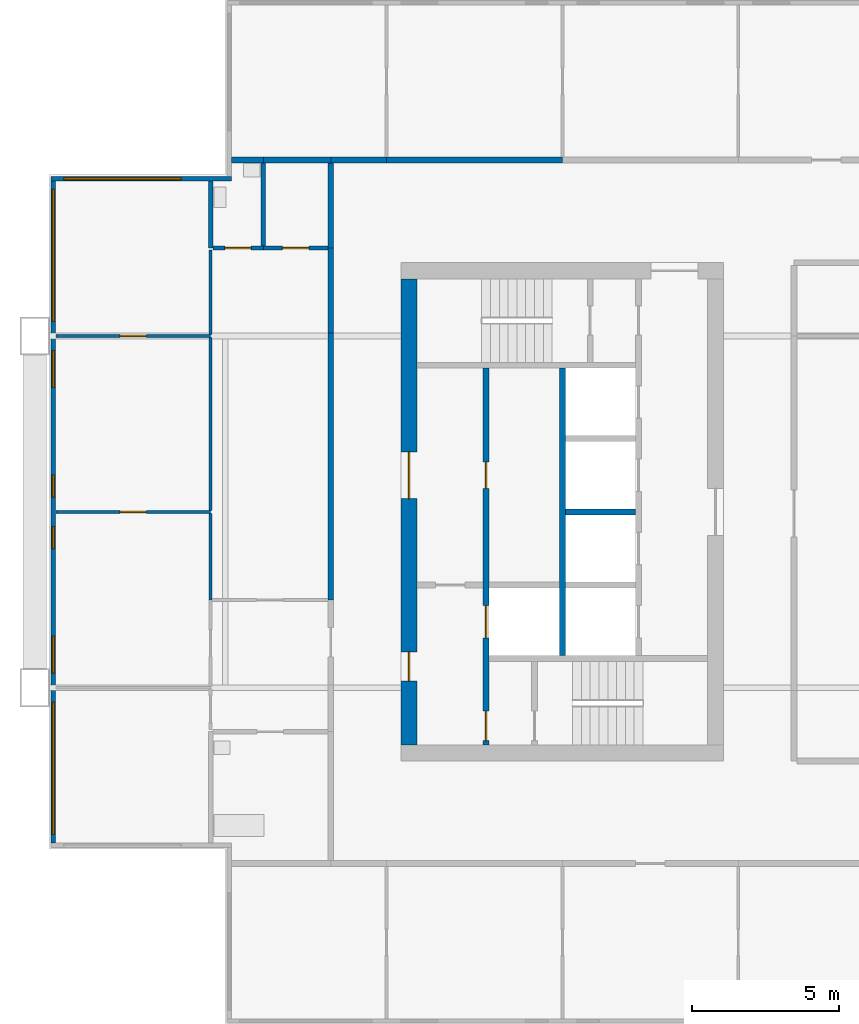
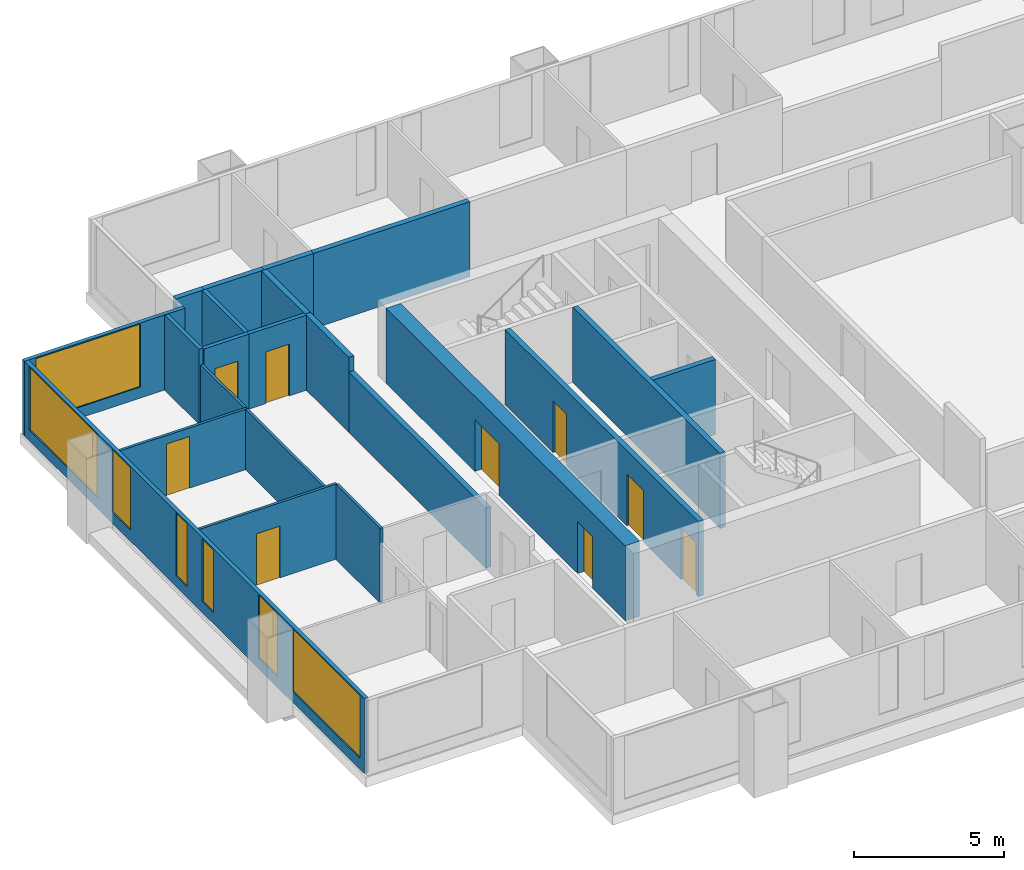
# One storey, part 3 of 9: 22 walls, 9 doors, 7 windows, 16 openings.
"""IFC4 building model written with IfcOpenShell, lengths in metres."""

from ifc_helpers import new_model, si_unit, direction, frame, frame_2d, origin, place, context, subcontext, project, spatial, rectangle, extrude, material, layer, layer_set, type_object, element, fill, save


model = new_model("IFC4")

# Units and contexts
model_context = context("Model", 3, precision=1e-05, world=origin(), true_north=direction((0.0, 1.0)))
body_context = subcontext(model_context, "Body", "Model", "MODEL_VIEW")
ifc_project = project(units=[si_unit("LENGTHUNIT", "METRE"), si_unit("AREAUNIT", "SQUARE_METRE"), si_unit("VOLUMEUNIT", "CUBIC_METRE"), si_unit("PLANEANGLEUNIT", "RADIAN"), si_unit("MASSUNIT", "GRAM", prefix="KILO")], contexts=[model_context])

# Site, building, storey
site_placement = place(None, origin())
site = spatial("IfcSite", under=ifc_project, at=site_placement, CompositionType="ELEMENT")
building_placement = place(site_placement, origin())
building = spatial("IfcBuilding", under=site, at=building_placement, Name="Kitamizu Gate Tower and Museum", CompositionType="ELEMENT")
storey_placement = place(building_placement, frame((0.0, 0.0, 168.60009765625)))
storey = spatial("IfcBuildingStorey", under=building, at=storey_placement, Name="L44", CompositionType="ELEMENT", Elevation=168.60009765625)

# Wall, openings, doors
ifc_material_1 = material(Name="Concrete Fc42", Category="concrete")
ifc_layer_1 = layer(ifc_material_1, 0.550048828125)
ifc_layer_set_1 = layer_set([ifc_layer_1], Name="Concrete Fc42")
wall_type_1 = type_object("IfcWallType", Name="Core wall 550", PredefinedType="SHEAR", material=ifc_layer_set_1)
wall_1_placement = place(storey_placement, frame((12.77490234375, 22.050048828125, 0.0), z_axis=(0.0, 0.0, 1.0), x_axis=(0.0, 1.0, 0.0)))
wall_1 = element("IfcWall", 1, at=wall_1_placement, inside=storey, type_object=wall_type_1, Name="Core wall WOUT", PredefinedType="SHEAR", context=body_context, shape_type="SweptSolid", body=[
    extrude(rectangle(XDim=15.89990234375, YDim=0.550048828125, at=frame_2d((7.949951171875, 0.0))), origin(), (0.0, 0.0, 1.0), 3.0498046875),
])
opening_1_placement = place(wall_1_placement, frame((8.39990234375, 0.0, 0.0)))
opening_1 = element("IfcOpeningElement", 2, at=opening_1_placement, cuts=wall_1, Name="Opening L44-035", PredefinedType="OPENING", context=body_context, shape_type="SweptSolid", body=[
    extrude(rectangle(XDim=1.60009765625, YDim=2.10009765625, at=frame_2d((0.800048828125, 1.050048828125))), frame((0.0, 0.28515625, 0.0), z_axis=(0.0, -1.0, 0.0), x_axis=(1.0, 0.0, 0.0)), (0.0, 0.0, 1.0), 0.570068359375),
])
opening_2_placement = place(wall_1_placement, frame((2.175048828125, 0.0, 0.0)))
opening_2 = element("IfcOpeningElement", 3, at=opening_2_placement, cuts=wall_1, Name="Opening L44-036", PredefinedType="OPENING", context=body_context, shape_type="SweptSolid", body=[
    extrude(rectangle(XDim=1.0, YDim=2.10009765625, at=frame_2d((0.5, 1.050048828125))), frame((0.0, 0.28515625, 0.0), z_axis=(0.0, -1.0, 0.0), x_axis=(1.0, 0.0, 0.0)), (0.0, 0.0, 1.0), 0.570068359375),
])
ifc_material_2 = material(Name="Timber door set", Category="wood")
door_type_1 = type_object("IfcDoorType", Name="Entrance door 1600", OperationType="DOUBLE_DOOR_SINGLE_SWING", PredefinedType="DOOR", material=ifc_material_2)
door_1_placement = place(opening_1_placement, origin())
door_1 = element("IfcDoor", 4, at=door_1_placement, inside=storey, type_object=door_type_1, Name="Lobby door L44-035", OperationType="DOUBLE_DOOR_SINGLE_SWING", OverallHeight=2.10009765625, OverallWidth=1.60009765625, PredefinedType="DOOR", context=body_context, shape_type="SweptSolid", body=[
    extrude(rectangle(XDim=1.60009765625, YDim=2.10009765625, at=frame_2d((0.800048828125, 1.050048828125))), frame((0.0, 0.02490234375, 0.0), z_axis=(0.0, -1.0, 0.0), x_axis=(1.0, 0.0, 0.0)), (0.0, 0.0, 1.0), 0.050048828125),
])
fill(opening_1, door_1)
ifc_material_3 = material(Name="Hollow metal door set")
door_type_2 = type_object("IfcDoorType", Name="Fire door 1000", OperationType="NOTDEFINED", PredefinedType="DOOR", material=ifc_material_3)
door_2_placement = place(opening_2_placement, frame((1.0, 0.0, 0.0), x_axis=(-1.0, 0.0, 0.0)))
door_2 = element("IfcDoor", 5, at=door_2_placement, inside=storey, type_object=door_type_2, Name="Fire-fighting lobby door L44-036", OperationType="SINGLE_SWING_RIGHT", OverallHeight=2.10009765625, OverallWidth=1.0, PredefinedType="DOOR", context=body_context, shape_type="SweptSolid", body=[
    extrude(rectangle(XDim=1.0, YDim=2.10009765625, at=frame_2d((0.5, 1.050048828125))), frame((0.0, 0.02490234375, 0.0), z_axis=(0.0, -1.0, 0.0), x_axis=(1.0, 0.0, 0.0)), (0.0, 0.0, 1.0), 0.050048828125),
])
fill(opening_2, door_2)

# Wall, opening, door
ifc_material_4 = material(Name="Gypsum board on galvanised stud")
ifc_layer_2 = layer(ifc_material_4, 0.10009765625)
ifc_layer_set_2 = layer_set([ifc_layer_2], Name="Gypsum board on galvanised stud")
wall_type_2 = type_object("IfcWallType", Name="Partition 100 NOT RATED", PredefinedType="PARTITIONING", material=ifc_layer_set_2)
wall_2_placement = place(storey_placement, frame((6.0, 30.0, 0.0), z_axis=(0.0, 0.0, 1.0), x_axis=(-1.0, 0.0, 0.0)))
wall_2 = element("IfcWall", 6, at=wall_2_placement, inside=storey, type_object=wall_type_2, Name="Partition L44-040", PredefinedType="PARTITIONING", context=body_context, shape_type="SweptSolid", body=[
    extrude(rectangle(XDim=5.280029296875, YDim=0.10009765625, at=frame_2d((2.64013671875, 0.0))), origin(), (0.0, 0.0, 1.0), 3.0498046875),
])
opening_3_placement = place(wall_2_placement, frame((2.18994140625, 0.0, 0.0)))
opening_3 = element("IfcOpeningElement", 7, at=opening_3_placement, cuts=wall_2, Name="Opening L44-019", PredefinedType="OPENING", context=body_context, shape_type="SweptSolid", body=[
    extrude(rectangle(XDim=0.89990234375, YDim=2.10009765625, at=frame_2d((0.449951171875, 1.050048828125))), frame((0.0, 0.06005859375, 0.0), z_axis=(0.0, -1.0, 0.0), x_axis=(1.0, 0.0, 0.0)), (0.0, 0.0, 1.0), 0.1201171875),
])
ifc_material_5 = material(Name="Timber door set", Category="wood")
door_type_3 = type_object("IfcDoorType", Name="Room door 900", OperationType="NOTDEFINED", PredefinedType="DOOR", material=ifc_material_5)
door_3_placement = place(opening_3_placement, origin())
door_3 = element("IfcDoor", 8, at=door_3_placement, inside=storey, type_object=door_type_3, Name="Door L44-019", OperationType="SINGLE_SWING_LEFT", OverallHeight=2.10009765625, OverallWidth=0.89990234375, PredefinedType="DOOR", context=body_context, shape_type="SweptSolid", body=[
    extrude(rectangle(XDim=0.89990234375, YDim=2.10009765625, at=frame_2d((0.449951171875, 1.050048828125))), frame((0.0, 0.02490234375, 0.0), z_axis=(0.0, -1.0, 0.0), x_axis=(1.0, 0.0, 0.0)), (0.0, 0.0, 1.0), 0.050048828125),
])
fill(opening_3, door_3)

# Wall
wall_3_placement = place(storey_placement, frame((6.0, 27.0, 0.0), z_axis=(0.0, 0.0, 1.0), x_axis=(0.0, 1.0, 0.0)))
element("IfcWall", 9, at=wall_3_placement, inside=storey, type_object=wall_type_2, Name="Partition L44-042", PredefinedType="PARTITIONING", context=body_context, shape_type="SweptSolid", body=[
    extrude(rectangle(XDim=2.949951171875, YDim=0.10009765625, at=frame_2d((1.47509765625, 0.0))), origin(), (0.0, 0.0, 1.0), 3.0498046875),
])

# Wall, opening, door
wall_4_placement = place(storey_placement, frame((6.0, 36.0, 0.0), z_axis=(0.0, 0.0, 1.0), x_axis=(-1.0, 0.0, 0.0)))
wall_4 = element("IfcWall", 10, at=wall_4_placement, inside=storey, type_object=wall_type_2, Name="Partition L44-043", PredefinedType="PARTITIONING", context=body_context, shape_type="SweptSolid", body=[
    extrude(rectangle(XDim=5.280029296875, YDim=0.10009765625, at=frame_2d((2.64013671875, 0.0))), origin(), (0.0, 0.0, 1.0), 2.449951171875),
])
opening_4_placement = place(wall_4_placement, frame((2.18994140625, 0.0, 0.0)))
opening_4 = element("IfcOpeningElement", 11, at=opening_4_placement, cuts=wall_4, Name="Opening L44-020", PredefinedType="OPENING", context=body_context, shape_type="SweptSolid", body=[
    extrude(rectangle(XDim=0.89990234375, YDim=2.10009765625, at=frame_2d((0.449951171875, 1.050048828125))), frame((0.0, 0.06005859375, 0.0), z_axis=(0.0, -1.0, 0.0), x_axis=(1.0, 0.0, 0.0)), (0.0, 0.0, 1.0), 0.1201171875),
])
door_4_placement = place(opening_4_placement, frame((0.89990234375, 0.0, 0.0), x_axis=(-1.0, 0.0, 0.0)))
door_4 = element("IfcDoor", 12, at=door_4_placement, inside=storey, type_object=door_type_3, Name="Door L44-020", OperationType="SINGLE_SWING_LEFT", OverallHeight=2.10009765625, OverallWidth=0.89990234375, PredefinedType="DOOR", context=body_context, shape_type="SweptSolid", body=[
    extrude(rectangle(XDim=0.89990234375, YDim=2.10009765625, at=frame_2d((0.449951171875, 1.050048828125))), frame((0.0, 0.02490234375, 0.0), z_axis=(0.0, -1.0, 0.0), x_axis=(1.0, 0.0, 0.0)), (0.0, 0.0, 1.0), 0.050048828125),
])
fill(opening_4, door_4)

# Walls
wall_5_placement = place(storey_placement, frame((6.0, 30.050048828125, 0.0), z_axis=(0.0, 0.0, 1.0), x_axis=(0.0, 1.0, 0.0)))
element("IfcWall", 13, at=wall_5_placement, inside=storey, type_object=wall_type_2, Name="Partition L44-044", PredefinedType="PARTITIONING", context=body_context, shape_type="SweptSolid", body=[
    extrude(rectangle(XDim=5.89990234375, YDim=0.10009765625, at=frame_2d((2.949951171875, 0.0))), origin(), (0.0, 0.0, 1.0), 2.449951171875),
])
wall_6_placement = place(storey_placement, frame((6.0, 36.050048828125, 0.0), z_axis=(0.0, 0.0, 1.0), x_axis=(0.0, 1.0, 0.0)))
element("IfcWall", 14, at=wall_6_placement, inside=storey, type_object=wall_type_2, Name="Partition L44-045", PredefinedType="PARTITIONING", context=body_context, shape_type="SweptSolid", body=[
    extrude(rectangle(XDim=2.875, YDim=0.10009765625, at=frame_2d((1.4375, 0.0))), origin(), (0.0, 0.0, 1.0), 2.449951171875),
])
ifc_material_6 = material(Name="Gypsum board on galvanised stud")
ifc_layer_3 = layer(ifc_material_6, 0.14990234375)
ifc_layer_set_3 = layer_set([ifc_layer_3], Name="Gypsum board on galvanised stud")
wall_type_3 = type_object("IfcWallType", Name="Partition 150", PredefinedType="PARTITIONING", material=ifc_layer_set_3)
wall_7_placement = place(storey_placement, frame((6.0, 39.0, 0.0), z_axis=(0.0, 0.0, 1.0), x_axis=(0.0, 1.0, 0.0)))
element("IfcWall", 15, at=wall_7_placement, inside=storey, type_object=wall_type_3, Name="Partition L44-046", PredefinedType="PARTITIONING", context=body_context, shape_type="SweptSolid", body=[
    extrude(rectangle(XDim=2.280029296875, YDim=0.14990234375, at=frame_2d((1.14013671875, 0.0))), origin(), (0.0, 0.0, 1.0), 3.0498046875),
])

# Wall, opening, door
wall_8_placement = place(storey_placement, frame((7.800048828125, 39.0, 0.0), z_axis=(0.0, 0.0, 1.0), x_axis=(-1.0, 0.0, 0.0)))
wall_8 = element("IfcWall", 16, at=wall_8_placement, inside=storey, type_object=wall_type_3, Name="Partition L44-052", PredefinedType="PARTITIONING", context=body_context, shape_type="SweptSolid", body=[
    extrude(rectangle(XDim=1.72509765625, YDim=0.14990234375, at=frame_2d((0.862548828125, 0.0))), origin(), (0.0, 0.0, 1.0), 3.0498046875),
])
opening_5_placement = place(wall_8_placement, frame((0.41259765625, 0.0, 0.0)))
opening_5 = element("IfcOpeningElement", 17, at=opening_5_placement, cuts=wall_8, Name="Opening L44-022", PredefinedType="OPENING", context=body_context, shape_type="SweptSolid", body=[
    extrude(rectangle(XDim=0.89990234375, YDim=2.10009765625, at=frame_2d((0.449951171875, 1.050048828125))), frame((0.0, 0.0849609375, 0.0), z_axis=(0.0, -1.0, 0.0), x_axis=(1.0, 0.0, 0.0)), (0.0, 0.0, 1.0), 0.169921875),
])
ifc_material_7 = material(Name="Timber door set", Category="wood")
door_type_4 = type_object("IfcDoorType", Name="Bathroom door 900", OperationType="NOTDEFINED", PredefinedType="DOOR", material=ifc_material_7)
door_5_placement = place(opening_5_placement, frame((0.89990234375, 0.0, 0.0), x_axis=(-1.0, 0.0, 0.0)))
door_5 = element("IfcDoor", 18, at=door_5_placement, inside=storey, type_object=door_type_4, Name="Bathroom door L44-022", OperationType="SINGLE_SWING_LEFT", OverallHeight=2.10009765625, OverallWidth=0.89990234375, PredefinedType="DOOR", context=body_context, shape_type="SweptSolid", body=[
    extrude(rectangle(XDim=0.89990234375, YDim=2.10009765625, at=frame_2d((0.449951171875, 1.050048828125))), frame((0.0, 0.02490234375, 0.0), z_axis=(0.0, -1.0, 0.0), x_axis=(1.0, 0.0, 0.0)), (0.0, 0.0, 1.0), 0.050048828125),
])
fill(opening_5, door_5)

wall_9_placement = place(storey_placement, frame((10.0, 39.0, 0.0), z_axis=(0.0, 0.0, 1.0), x_axis=(-1.0, 0.0, 0.0)))
wall_9 = element("IfcWall", 19, at=wall_9_placement, inside=storey, type_object=wall_type_3, Name="Partition L44-053", PredefinedType="PARTITIONING", context=body_context, shape_type="SweptSolid", body=[
    extrude(rectangle(XDim=2.199951171875, YDim=0.14990234375, at=frame_2d((1.10009765625, 0.0))), origin(), (0.0, 0.0, 1.0), 3.0498046875),
])
opening_6_placement = place(wall_9_placement, frame((0.64990234375, 0.0, 0.0)))
opening_6 = element("IfcOpeningElement", 20, at=opening_6_placement, cuts=wall_9, Name="Opening L44-023", PredefinedType="OPENING", context=body_context, shape_type="SweptSolid", body=[
    extrude(rectangle(XDim=0.89990234375, YDim=2.10009765625, at=frame_2d((0.449951171875, 1.050048828125))), frame((0.0, 0.0849609375, 0.0), z_axis=(0.0, -1.0, 0.0), x_axis=(1.0, 0.0, 0.0)), (0.0, 0.0, 1.0), 0.169921875),
])
door_6_placement = place(opening_6_placement, frame((0.89990234375, 0.0, 0.0), x_axis=(-1.0, 0.0, 0.0)))
door_6 = element("IfcDoor", 21, at=door_6_placement, inside=storey, type_object=door_type_4, Name="Bathroom door L44-023", OperationType="SINGLE_SWING_RIGHT", OverallHeight=2.10009765625, OverallWidth=0.89990234375, PredefinedType="DOOR", context=body_context, shape_type="SweptSolid", body=[
    extrude(rectangle(XDim=0.89990234375, YDim=2.10009765625, at=frame_2d((0.449951171875, 1.050048828125))), frame((0.0, 0.02490234375, 0.0), z_axis=(0.0, -1.0, 0.0), x_axis=(1.0, 0.0, 0.0)), (0.0, 0.0, 1.0), 0.050048828125),
])
fill(opening_6, door_6)

# Walls
wall_10_placement = place(storey_placement, frame((7.800048828125, 39.074951171875, 0.0), z_axis=(0.0, 0.0, 1.0), x_axis=(0.0, 1.0, 0.0)))
element("IfcWall", 22, at=wall_10_placement, inside=storey, type_object=wall_type_3, Name="Partition L44-056", PredefinedType="PARTITIONING", context=body_context, shape_type="SweptSolid", body=[
    extrude(rectangle(XDim=2.824951171875, YDim=0.14990234375, at=frame_2d((1.41259765625, 0.0))), origin(), (0.0, 0.0, 1.0), 3.0498046875),
])
ifc_material_8 = material(Name="Gypsum board on galvanised stud")
ifc_layer_4 = layer(ifc_material_8, 0.199951171875)
ifc_layer_set_4 = layer_set([ifc_layer_4], Name="Gypsum board on galvanised stud")
wall_type_4 = type_object("IfcWallType", Name="Partition 200", PredefinedType="PARTITIONING", material=ifc_layer_set_4)
wall_11_placement = place(storey_placement, frame((6.719970703125, 42.0, 0.0), z_axis=(0.0, 0.0, 1.0), x_axis=(1.0, 0.0, 0.0)))
element("IfcWall", 23, at=wall_11_placement, inside=storey, type_object=wall_type_4, Name="Partition L44-019", PredefinedType="PARTITIONING", context=body_context, shape_type="SweptSolid", body=[
    extrude(rectangle(XDim=1.080078125, YDim=0.199951171875, at=frame_2d((0.5400390625, 0.0))), origin(), (0.0, 0.0, 1.0), 3.0498046875),
])
wall_12_placement = place(storey_placement, frame((7.800048828125, 42.0, 0.0), z_axis=(0.0, 0.0, 1.0), x_axis=(1.0, 0.0, 0.0)))
element("IfcWall", 24, at=wall_12_placement, inside=storey, type_object=wall_type_4, Name="Partition L44-020", PredefinedType="PARTITIONING", context=body_context, shape_type="SweptSolid", body=[
    extrude(rectangle(XDim=2.300048828125, YDim=0.199951171875, at=frame_2d((1.14990234375, 0.0))), origin(), (0.0, 0.0, 1.0), 3.0498046875),
])
wall_13_placement = place(storey_placement, frame((10.10009765625, 42.0, 0.0), z_axis=(0.0, 0.0, 1.0), x_axis=(1.0, 0.0, 0.0)))
element("IfcWall", 25, at=wall_13_placement, inside=storey, type_object=wall_type_4, Name="Partition L44-021", PredefinedType="PARTITIONING", context=body_context, shape_type="SweptSolid", body=[
    extrude(rectangle(XDim=1.89990234375, YDim=0.199951171875, at=frame_2d((0.949951171875, 0.0))), origin(), (0.0, 0.0, 1.0), 3.0498046875),
])
wall_14_placement = place(storey_placement, frame((12.0, 42.0, 0.0), z_axis=(0.0, 0.0, 1.0), x_axis=(1.0, 0.0, 0.0)))
element("IfcWall", 26, at=wall_14_placement, inside=storey, type_object=wall_type_4, Name="Partition L44-023", PredefinedType="PARTITIONING", context=body_context, shape_type="SweptSolid", body=[
    extrude(rectangle(XDim=6.0, YDim=0.199951171875, at=frame_2d((3.0, 0.0))), origin(), (0.0, 0.0, 1.0), 3.0498046875),
])
wall_15_placement = place(storey_placement, frame((10.10009765625, 27.0, 0.0), z_axis=(0.0, 0.0, 1.0), x_axis=(0.0, 1.0, 0.0)))
element("IfcWall", 27, at=wall_15_placement, inside=storey, type_object=wall_type_4, Name="Partition L44-054", PredefinedType="PARTITIONING", context=body_context, shape_type="SweptSolid", body=[
    extrude(rectangle(XDim=9.10009765625, YDim=0.199951171875, at=frame_2d((4.550048828125, 0.0))), origin(), (0.0, 0.0, 1.0), 2.449951171875),
])
for number, where, z_axis, x_axis, name in (
    (28, (10.10009765625, 36.10009765625, 0.0), (0.0, 0.0, 1.0), (0.0, 1.0, 0.0), "Partition L44-055"),
    (29, (10.10009765625, 39.0, 0.0), (0.0, 0.0, 1.0), (0.0, 1.0, 0.0), "Partition L44-057"),
):
    element("IfcWall", number, at=place(storey_placement, frame(where, z_axis=z_axis, x_axis=x_axis)), inside=storey, type_object=wall_type_4, Name=name, PredefinedType="PARTITIONING", context=body_context, shape_type="SweptSolid", body=[
        extrude(rectangle(XDim=2.89990234375, YDim=0.199951171875, at=frame_2d((1.449951171875, 0.0))), origin(), (0.0, 0.0, 1.0), 3.0498046875),
    ])

# Wall, openings, doors
ifc_material_9 = material(Name="Concrete Fc42", Category="concrete")
ifc_layer_5 = layer(ifc_material_9, 0.199951171875)
ifc_layer_set_5 = layer_set([ifc_layer_5], Name="Concrete Fc42")
wall_type_5 = type_object("IfcWallType", Name="Shaft wall 200", PredefinedType="SOLIDWALL", material=ifc_layer_set_5)
wall_16_placement = place(storey_placement, frame((15.39990234375, 22.050048828125, 0.0), z_axis=(0.0, 0.0, 1.0), x_axis=(0.0, 1.0, 0.0)))
wall_16 = element("IfcWall", 30, at=wall_16_placement, inside=storey, type_object=wall_type_5, Name="Shaft wall WWEST", PredefinedType="SOLIDWALL", context=body_context, shape_type="SweptSolid", body=[
    extrude(rectangle(XDim=12.849853515625, YDim=0.199951171875, at=frame_2d((6.4248046875, 0.0))), origin(), (0.0, 0.0, 1.0), 3.0498046875),
])
opening_7_placement = place(wall_16_placement, frame((3.64990234375, 0.0, 0.0)))
opening_7 = element("IfcOpeningElement", 31, at=opening_7_placement, cuts=wall_16, Name="Opening LD", PredefinedType="OPENING", context=body_context, shape_type="SweptSolid", body=[
    extrude(rectangle(XDim=1.10009765625, YDim=2.10009765625, at=frame_2d((0.550048828125, 1.050048828125))), frame((0.0, 0.10986328125, 0.0), z_axis=(0.0, -1.0, 0.0), x_axis=(1.0, 0.0, 0.0)), (0.0, 0.0, 1.0), 0.219970703125),
])
opening_8_placement = place(wall_16_placement, frame((0.14990234375, 0.0, 0.0)))
opening_8 = element("IfcOpeningElement", 32, at=opening_8_placement, cuts=wall_16, Name="Opening L44-031", PredefinedType="OPENING", context=body_context, shape_type="SweptSolid", body=[
    extrude(rectangle(XDim=1.0, YDim=2.10009765625, at=frame_2d((0.5, 1.050048828125))), frame((0.0, 0.10986328125, 0.0), z_axis=(0.0, -1.0, 0.0), x_axis=(1.0, 0.0, 0.0)), (0.0, 0.0, 1.0), 0.219970703125),
])
opening_9_placement = place(wall_16_placement, frame((8.75, 0.0, 0.0)))
opening_9 = element("IfcOpeningElement", 33, at=opening_9_placement, cuts=wall_16, Name="Opening L44-039", PredefinedType="OPENING", context=body_context, shape_type="SweptSolid", body=[
    extrude(rectangle(XDim=0.89990234375, YDim=2.10009765625, at=frame_2d((0.449951171875, 1.050048828125))), frame((0.0, 0.10986328125, 0.0), z_axis=(0.0, -1.0, 0.0), x_axis=(1.0, 0.0, 0.0)), (0.0, 0.0, 1.0), 0.219970703125),
])
door_7_placement = place(opening_8_placement, frame((1.0, 0.0, 0.0), x_axis=(-1.0, 0.0, 0.0)))
door_7 = element("IfcDoor", 34, at=door_7_placement, inside=storey, type_object=door_type_2, Name="Stair lobby door L44-031", OperationType="SINGLE_SWING_LEFT", OverallHeight=2.10009765625, OverallWidth=1.0, PredefinedType="DOOR", context=body_context, shape_type="SweptSolid", body=[
    extrude(rectangle(XDim=1.0, YDim=2.10009765625, at=frame_2d((0.5, 1.050048828125))), frame((0.0, 0.02490234375, 0.0), z_axis=(0.0, -1.0, 0.0), x_axis=(1.0, 0.0, 0.0)), (0.0, 0.0, 1.0), 0.050048828125),
])
fill(opening_8, door_7)
ifc_material_10 = material(Name="Hollow metal door set")
door_type_5 = type_object("IfcDoorType", Name="Landing door 1100", OperationType="SLIDING_TO_LEFT", PredefinedType="DOOR", material=ifc_material_10)
door_8_placement = place(opening_7_placement, origin())
door_8 = element("IfcDoor", 35, at=door_8_placement, inside=storey, type_object=door_type_5, Name="Landing door WFF1", OperationType="SLIDING_TO_LEFT", OverallHeight=2.10009765625, OverallWidth=1.10009765625, PredefinedType="DOOR", context=body_context, shape_type="SweptSolid", body=[
    extrude(rectangle(XDim=1.10009765625, YDim=2.10009765625, at=frame_2d((0.550048828125, 1.050048828125))), frame((0.0, 0.02490234375, 0.0), z_axis=(0.0, -1.0, 0.0), x_axis=(1.0, 0.0, 0.0)), (0.0, 0.0, 1.0), 0.050048828125),
])
fill(opening_7, door_8)
ifc_material_11 = material(Name="Timber door set", Category="wood")
door_type_6 = type_object("IfcDoorType", Name="Service door 900", OperationType="NOTDEFINED", PredefinedType="DOOR", material=ifc_material_11)
door_9_placement = place(opening_9_placement, frame((0.89990234375, 0.0, 0.0), x_axis=(-1.0, 0.0, 0.0)))
door_9 = element("IfcDoor", 36, at=door_9_placement, inside=storey, type_object=door_type_6, Name="Service door L44-039", OperationType="SINGLE_SWING_LEFT", OverallHeight=2.10009765625, OverallWidth=0.89990234375, PredefinedType="DOOR", context=body_context, shape_type="SweptSolid", body=[
    extrude(rectangle(XDim=0.89990234375, YDim=2.10009765625, at=frame_2d((0.449951171875, 1.050048828125))), frame((0.0, 0.02490234375, 0.0), z_axis=(0.0, -1.0, 0.0), x_axis=(1.0, 0.0, 0.0)), (0.0, 0.0, 1.0), 0.050048828125),
])
fill(opening_9, door_9)

# Walls
wall_17_placement = place(storey_placement, frame((18.0, 25.10009765625, 0.0), z_axis=(0.0, 0.0, 1.0), x_axis=(0.0, 1.0, 0.0)))
element("IfcWall", 37, at=wall_17_placement, inside=storey, type_object=wall_type_5, Name="Shaft wall WMID", PredefinedType="SOLIDWALL", context=body_context, shape_type="SweptSolid", body=[
    extrude(rectangle(XDim=9.7998046875, YDim=0.199951171875, at=frame_2d((4.89990234375, 0.0))), origin(), (0.0, 0.0, 1.0), 3.0498046875),
])
wall_18_placement = place(storey_placement, frame((18.10009765625, 30.0, 0.0), z_axis=(0.0, 0.0, 1.0), x_axis=(1.0, 0.0, 0.0)))
element("IfcWall", 38, at=wall_18_placement, inside=storey, type_object=wall_type_5, Name="Shaft wall WDVE1", PredefinedType="SOLIDWALL", context=body_context, shape_type="SweptSolid", body=[
    extrude(rectangle(XDim=2.39990234375, YDim=0.199951171875, at=frame_2d((1.199951171875, 0.0))), origin(), (0.0, 0.0, 1.0), 3.0498046875),
])

# Wall, opening, window
ifc_material_12 = material(Name="Bronze anodised aluminium frame with insulated spandrel and tinted glass", Category="aluminium")
ifc_layer_6 = layer(ifc_material_12, 0.14990234375)
ifc_layer_set_6 = layer_set([ifc_layer_6], Name="Bronze anodised aluminium frame with insulated spandrel and tinted glass")
wall_type_6 = type_object("IfcWallType", Name="WINDOW WALL 150 BRONZE FRAME EI 30", PredefinedType="ELEMENTEDWALL", material=ifc_layer_set_6)
wall_19_placement = place(storey_placement, frame((0.56005859375, 41.364990234375, 0.0), z_axis=(0.0, 0.0, 1.0), x_axis=(1.0, 0.0, 0.0)))
wall_19 = element("IfcWall", 39, at=wall_19_placement, inside=storey, type_object=wall_type_6, Name="Window wall north L44", PredefinedType="ELEMENTEDWALL", context=body_context, shape_type="SweptSolid", body=[
    extrude(rectangle(XDim=6.14990234375, YDim=0.14990234375, at=frame_2d((3.074951171875, 0.0))), origin(), (0.0, 0.0, 1.0), 3.0498046875),
])
opening_10_placement = place(wall_19_placement, frame((0.43994140625, 0.0, 0.449951171875)))
opening_10 = element("IfcOpeningElement", 40, at=opening_10_placement, cuts=wall_19, Name="Opening W16", PredefinedType="OPENING", context=body_context, shape_type="SweptSolid", body=[
    extrude(rectangle(XDim=4.0, YDim=2.550048828125, at=frame_2d((2.0, 1.27490234375))), frame((0.0, 0.0849609375, 0.0), z_axis=(0.0, -1.0, 0.0), x_axis=(1.0, 0.0, 0.0)), (0.0, 0.0, 1.0), 0.169921875),
])
ifc_material_13 = material(Name="Bronze anodised aluminium frame, tinted triple glazing", Category="aluminium")
window_type_1 = type_object("IfcWindowType", Name="WINDOW 4000 x 2550 SILL 450", PartitioningType="SINGLE_PANEL", PredefinedType="WINDOW", material=ifc_material_13)
window_1_placement = place(opening_10_placement, origin())
window_1 = element("IfcWindow", 41, at=window_1_placement, inside=storey, type_object=window_type_1, Name="Window W16 L44", OverallHeight=2.550048828125, OverallWidth=4.0, PartitioningType="SINGLE_PANEL", PredefinedType="WINDOW", context=body_context, shape_type="SweptSolid", body=[
    extrude(rectangle(XDim=4.0, YDim=2.550048828125, at=frame_2d((2.0, 1.27490234375))), frame((0.0, 0.030029296875, 0.0), z_axis=(0.0, -1.0, 0.0), x_axis=(1.0, 0.0, 0.0)), (0.0, 0.0, 1.0), 0.06005859375),
])
fill(opening_10, window_1)

# Wall, openings, windows
wall_20_placement = place(storey_placement, frame((0.635009765625, 18.7099609375, 0.0), z_axis=(0.0, 0.0, 1.0), x_axis=(0.0, 1.0, 0.0)))
wall_20 = element("IfcWall", 42, at=wall_20_placement, inside=storey, type_object=wall_type_6, Name="Window wall west L44", PredefinedType="ELEMENTEDWALL", context=body_context, shape_type="SweptSolid", body=[
    extrude(rectangle(XDim=22.580078125, YDim=0.14990234375, at=frame_2d((11.2900390625, 0.0))), origin(), (0.0, 0.0, 1.0), 3.0498046875),
])
opening_11_placement = place(wall_20_placement, frame((0.2900390625, 0.0, 0.449951171875)))
opening_11 = element("IfcOpeningElement", 43, at=opening_11_placement, cuts=wall_20, Name="Opening W15", PredefinedType="OPENING", context=body_context, shape_type="SweptSolid", body=[
    extrude(rectangle(XDim=4.5, YDim=2.550048828125, at=frame_2d((2.25, 1.27490234375))), frame((0.0, 0.0849609375, 0.0), z_axis=(0.0, -1.0, 0.0), x_axis=(1.0, 0.0, 0.0)), (0.0, 0.0, 1.0), 0.169921875),
])
opening_12_placement = place(wall_20_placement, frame((5.7900390625, 0.0, 0.449951171875)))
opening_12 = element("IfcOpeningElement", 44, at=opening_12_placement, cuts=wall_20, Name="Opening W27", PredefinedType="OPENING", context=body_context, shape_type="SweptSolid", body=[
    extrude(rectangle(XDim=1.25, YDim=2.550048828125, at=frame_2d((0.625, 1.27490234375))), frame((0.0, 0.0849609375, 0.0), z_axis=(0.0, -1.0, 0.0), x_axis=(1.0, 0.0, 0.0)), (0.0, 0.0, 1.0), 0.169921875),
])
opening_13_placement = place(wall_20_placement, frame((10.0400390625, 0.0, 0.449951171875)))
opening_13 = element("IfcOpeningElement", 45, at=opening_13_placement, cuts=wall_20, Name="Opening W25", PredefinedType="OPENING", context=body_context, shape_type="SweptSolid", body=[
    extrude(rectangle(XDim=0.75, YDim=2.550048828125, at=frame_2d((0.375, 1.27490234375))), frame((0.0, 0.0849609375, 0.0), z_axis=(0.0, -1.0, 0.0), x_axis=(1.0, 0.0, 0.0)), (0.0, 0.0, 1.0), 0.169921875),
])
opening_14_placement = place(wall_20_placement, frame((11.7900390625, 0.0, 0.449951171875)))
opening_14 = element("IfcOpeningElement", 46, at=opening_14_placement, cuts=wall_20, Name="Opening W25", PredefinedType="OPENING", context=body_context, shape_type="SweptSolid", body=[
    extrude(rectangle(XDim=0.75, YDim=2.550048828125, at=frame_2d((0.375, 1.27490234375))), frame((0.0, 0.0849609375, 0.0), z_axis=(0.0, -1.0, 0.0), x_axis=(1.0, 0.0, 0.0)), (0.0, 0.0, 1.0), 0.169921875),
])
opening_15_placement = place(wall_20_placement, frame((15.5400390625, 0.0, 0.449951171875)))
opening_15 = element("IfcOpeningElement", 47, at=opening_15_placement, cuts=wall_20, Name="Opening W27", PredefinedType="OPENING", context=body_context, shape_type="SweptSolid", body=[
    extrude(rectangle(XDim=1.25, YDim=2.550048828125, at=frame_2d((0.625, 1.27490234375))), frame((0.0, 0.0849609375, 0.0), z_axis=(0.0, -1.0, 0.0), x_axis=(1.0, 0.0, 0.0)), (0.0, 0.0, 1.0), 0.169921875),
])
opening_16_placement = place(wall_20_placement, frame((17.7900390625, 0.0, 0.449951171875)))
opening_16 = element("IfcOpeningElement", 48, at=opening_16_placement, cuts=wall_20, Name="Opening W15", PredefinedType="OPENING", context=body_context, shape_type="SweptSolid", body=[
    extrude(rectangle(XDim=4.5, YDim=2.550048828125, at=frame_2d((2.25, 1.27490234375))), frame((0.0, 0.0849609375, 0.0), z_axis=(0.0, -1.0, 0.0), x_axis=(1.0, 0.0, 0.0)), (0.0, 0.0, 1.0), 0.169921875),
])
ifc_material_14 = material(Name="Bronze anodised aluminium frame, tinted triple glazing", Category="aluminium")
window_type_2 = type_object("IfcWindowType", Name="WINDOW 1250 x 2550 SILL 450", PartitioningType="SINGLE_PANEL", PredefinedType="WINDOW", material=ifc_material_14)
window_2_placement = place(opening_12_placement, origin())
window_2 = element("IfcWindow", 49, at=window_2_placement, inside=storey, type_object=window_type_2, Name="Window W27 L44", OverallHeight=2.550048828125, OverallWidth=1.25, PartitioningType="SINGLE_PANEL", PredefinedType="WINDOW", context=body_context, shape_type="SweptSolid", body=[
    extrude(rectangle(XDim=1.25, YDim=2.550048828125, at=frame_2d((0.625, 1.27490234375))), frame((0.0, 0.030029296875, 0.0), z_axis=(0.0, -1.0, 0.0), x_axis=(1.0, 0.0, 0.0)), (0.0, 0.0, 1.0), 0.06005859375),
])
fill(opening_12, window_2)
window_3_placement = place(opening_15_placement, origin())
window_3 = element("IfcWindow", 50, at=window_3_placement, inside=storey, type_object=window_type_2, Name="Window W27 L44", OverallHeight=2.550048828125, OverallWidth=1.25, PartitioningType="SINGLE_PANEL", PredefinedType="WINDOW", context=body_context, shape_type="SweptSolid", body=[
    extrude(rectangle(XDim=1.25, YDim=2.550048828125, at=frame_2d((0.625, 1.27490234375))), frame((0.0, 0.030029296875, 0.0), z_axis=(0.0, -1.0, 0.0), x_axis=(1.0, 0.0, 0.0)), (0.0, 0.0, 1.0), 0.06005859375),
])
fill(opening_15, window_3)
ifc_material_15 = material(Name="Bronze anodised aluminium frame, tinted triple glazing", Category="aluminium")
window_type_3 = type_object("IfcWindowType", Name="WINDOW 4500 x 2550 SILL 450", PartitioningType="SINGLE_PANEL", PredefinedType="WINDOW", material=ifc_material_15)
window_4_placement = place(opening_11_placement, origin())
window_4 = element("IfcWindow", 51, at=window_4_placement, inside=storey, type_object=window_type_3, Name="Window W15 L44", OverallHeight=2.550048828125, OverallWidth=4.5, PartitioningType="SINGLE_PANEL", PredefinedType="WINDOW", context=body_context, shape_type="SweptSolid", body=[
    extrude(rectangle(XDim=4.5, YDim=2.550048828125, at=frame_2d((2.25, 1.27490234375))), frame((0.0, 0.030029296875, 0.0), z_axis=(0.0, -1.0, 0.0), x_axis=(1.0, 0.0, 0.0)), (0.0, 0.0, 1.0), 0.06005859375),
])
fill(opening_11, window_4)
window_5_placement = place(opening_16_placement, origin())
window_5 = element("IfcWindow", 52, at=window_5_placement, inside=storey, type_object=window_type_3, Name="Window W15 L44", OverallHeight=2.550048828125, OverallWidth=4.5, PartitioningType="SINGLE_PANEL", PredefinedType="WINDOW", context=body_context, shape_type="SweptSolid", body=[
    extrude(rectangle(XDim=4.5, YDim=2.550048828125, at=frame_2d((2.25, 1.27490234375))), frame((0.0, 0.030029296875, 0.0), z_axis=(0.0, -1.0, 0.0), x_axis=(1.0, 0.0, 0.0)), (0.0, 0.0, 1.0), 0.06005859375),
])
fill(opening_16, window_5)
ifc_material_16 = material(Name="Bronze anodised aluminium frame, tinted triple glazing", Category="aluminium")
window_type_4 = type_object("IfcWindowType", Name="WINDOW 750 x 2550 SILL 450", PartitioningType="SINGLE_PANEL", PredefinedType="WINDOW", material=ifc_material_16)
window_6_placement = place(opening_13_placement, origin())
window_6 = element("IfcWindow", 53, at=window_6_placement, inside=storey, type_object=window_type_4, Name="Window W25 L44", OverallHeight=2.550048828125, OverallWidth=0.75, PartitioningType="SINGLE_PANEL", PredefinedType="WINDOW", context=body_context, shape_type="SweptSolid", body=[
    extrude(rectangle(XDim=0.75, YDim=2.550048828125, at=frame_2d((0.375, 1.27490234375))), frame((0.0, 0.030029296875, 0.0), z_axis=(0.0, -1.0, 0.0), x_axis=(1.0, 0.0, 0.0)), (0.0, 0.0, 1.0), 0.06005859375),
])
fill(opening_13, window_6)
window_7_placement = place(opening_14_placement, origin())
window_7 = element("IfcWindow", 54, at=window_7_placement, inside=storey, type_object=window_type_4, Name="Window W25 L44", OverallHeight=2.550048828125, OverallWidth=0.75, PartitioningType="SINGLE_PANEL", PredefinedType="WINDOW", context=body_context, shape_type="SweptSolid", body=[
    extrude(rectangle(XDim=0.75, YDim=2.550048828125, at=frame_2d((0.375, 1.27490234375))), frame((0.0, 0.030029296875, 0.0), z_axis=(0.0, -1.0, 0.0), x_axis=(1.0, 0.0, 0.0)), (0.0, 0.0, 1.0), 0.06005859375),
])
fill(opening_14, window_7)

save(model, "model.ifc")
